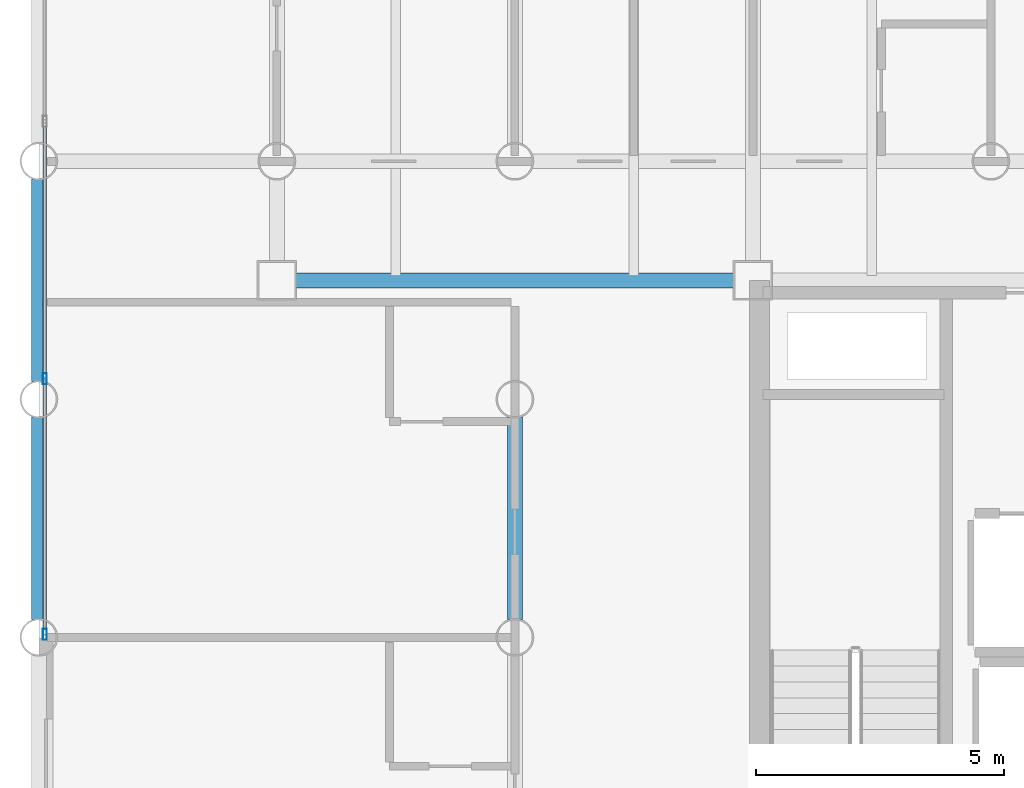
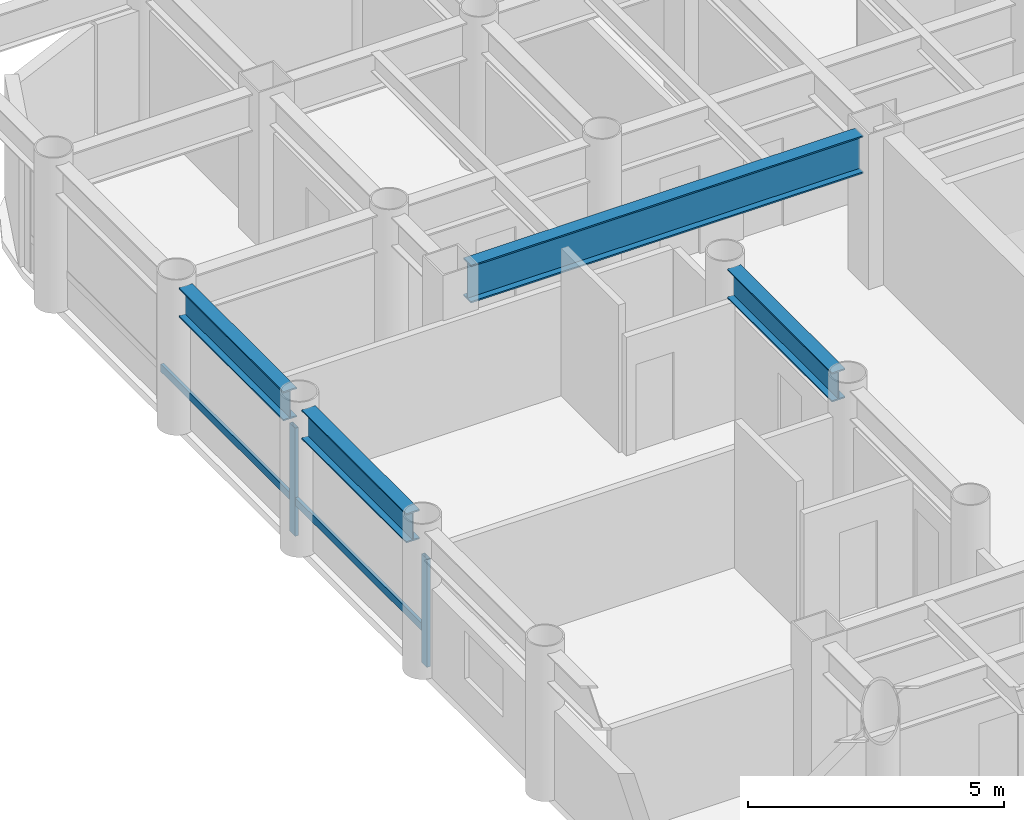
# One storey, part 4 of 20: 4 beams, 4 members, 1 element without a shape of its own.
"""IFC4 building model written with IfcOpenShell, lengths in metres."""

from ifc_helpers import new_model, si_unit, direction, frame, origin, origin_2d, place, context, subcontext, project, spatial, hollow_rectangle, i_section, extrude, material, layer, layer_set, material_profile, profile_set, type_object, element, aggregate, save


model = new_model("IFC4")

# Units and contexts
model_context = context("Model", 3, precision=1e-05, world=origin(), true_north=direction((0.0, 1.0)))
body_context = subcontext(model_context, "Body", "Model", "MODEL_VIEW")
ifc_project = project(units=[si_unit("LENGTHUNIT", "METRE"), si_unit("AREAUNIT", "SQUARE_METRE"), si_unit("VOLUMEUNIT", "CUBIC_METRE"), si_unit("PLANEANGLEUNIT", "RADIAN"), si_unit("MASSUNIT", "GRAM", prefix="KILO")], contexts=[model_context])

# Site, building, storey
site_placement = place(None, origin())
site = spatial("IfcSite", under=ifc_project, at=site_placement, CompositionType="ELEMENT")
building_placement = place(site_placement, origin())
building = spatial("IfcBuilding", under=site, at=building_placement, Name="Kallvorn Hotel Tower", CompositionType="ELEMENT")
storey_placement = place(building_placement, frame((0.0, 0.0, 78.10009765625)))
storey = spatial("IfcBuildingStorey", under=building, at=storey_placement, Name="L18", CompositionType="ELEMENT", Elevation=78.10009765625)

# Beams
ifc_material_1 = material(Name="Structural steel S355JR", Category="steel")
ifc_material_profile_1 = material_profile(ifc_material_1, i_section(OverallWidth=0.300048828125, OverallDepth=0.699951171875, WebThickness=0.01708984375, FlangeThickness=0.031982421875, at=origin_2d()), Name="HE 700 B")
ifc_profile_set_1 = profile_set([ifc_material_profile_1], Name="Structural steel S355JR")
beam_type_1 = type_object("IfcBeamType", Name="BM_HE700B", PredefinedType="BEAM", material=ifc_profile_set_1)
beam_1_placement = place(storey_placement, frame((-28.800048828125, 0.35595703125, 3.169921875), z_axis=(0.0, 1.0, 0.0), x_axis=(-1.0, 0.0, 0.0)))
element("IfcBeam", 1, at=beam_1_placement, inside=storey, type_object=beam_type_1, Name="L19 Primary Y-Girder 77", PredefinedType="BEAM", context=body_context, shape_type="SweptSolid", body=[
    extrude(i_section(OverallWidth=0.300048828125, OverallDepth=0.699951171875, WebThickness=0.01708984375, FlangeThickness=0.031982421875, at=origin_2d()), origin(), (0.0, 0.0, 1.0), 4.088134765625),
])
beam_2_placement = place(storey_placement, frame((-28.800048828125, 5.156005859375, 3.169921875), z_axis=(0.0, 1.0, 0.0), x_axis=(-1.0, 0.0, 0.0)))
element("IfcBeam", 2, at=beam_2_placement, inside=storey, type_object=beam_type_1, Name="L19 Primary Y-Girder 78", PredefinedType="BEAM", context=body_context, shape_type="SweptSolid", body=[
    extrude(i_section(OverallWidth=0.300048828125, OverallDepth=0.699951171875, WebThickness=0.01708984375, FlangeThickness=0.031982421875, at=origin_2d()), origin(), (0.0, 0.0, 1.0), 4.087890625),
])
beam_3_placement = place(storey_placement, frame((-19.199951171875, 0.35595703125, 3.169921875), z_axis=(0.0, 1.0, 0.0), x_axis=(-1.0, 0.0, 0.0)))
element("IfcBeam", 3, at=beam_3_placement, inside=storey, type_object=beam_type_1, Name="L19 Primary Y-Girder 93", PredefinedType="BEAM", context=body_context, shape_type="SweptSolid", body=[
    extrude(i_section(OverallWidth=0.300048828125, OverallDepth=0.699951171875, WebThickness=0.01708984375, FlangeThickness=0.031982421875, at=origin_2d()), origin(), (0.0, 0.0, 1.0), 4.088134765625),
])
ifc_material_2 = material(Name="Structural steel S355JR", Category="steel")
ifc_material_profile_2 = material_profile(ifc_material_2, i_section(OverallWidth=0.300048828125, OverallDepth=0.89990234375, WebThickness=0.0185546875, FlangeThickness=0.034912109375, at=origin_2d()), Name="HE 900 B")
ifc_profile_set_2 = profile_set([ifc_material_profile_2], Name="Structural steel S355JR")
beam_type_2 = type_object("IfcBeamType", Name="BM_HE900B", PredefinedType="BEAM", material=ifc_profile_set_2)
beam_4_placement = place(storey_placement, frame((-23.625, 7.199951171875, 3.06982421875), z_axis=(1.0, 0.0, 0.0), x_axis=(0.0, 1.0, 0.0)))
element("IfcBeam", 4, at=beam_4_placement, inside=storey, type_object=beam_type_2, Name="L19 Primary X-Girder 37", PredefinedType="BEAM", context=body_context, shape_type="SweptSolid", body=[
    extrude(i_section(OverallWidth=0.300048828125, OverallDepth=0.89990234375, WebThickness=0.0185546875, FlangeThickness=0.034912109375, at=origin_2d()), origin(), (0.0, 0.0, 1.0), 8.85009765625),
])

# Curtain wall, members
ifc_material_3 = material(Name="Thermally broken black-anodised aluminium AA 6063-T6", Category="aluminium")
ifc_layer = layer(ifc_material_3, 0.199951171875)
ifc_layer_set = layer_set([ifc_layer], Name="CW_SYS_3_HOTEL_LOW")
curtain_wall_type = type_object("IfcCurtainWallType", Name="CW_SYS_3_HOTEL_LOW", PredefinedType="USERDEFINED", material=ifc_layer_set)
curtain_wall_placement = place(storey_placement, origin())
curtain_wall = element("IfcCurtainWall", 5, at=curtain_wall_placement, inside=storey, type_object=curtain_wall_type, Name="L18 Dark-Glass Curtain Wall CW-L18-WN", ObjectType="UNITISED CURTAIN WALL", PredefinedType="USERDEFINED")
ifc_material_4 = material(Name="Thermally broken black-anodised aluminium AA 6063-T6", Category="aluminium")
ifc_material_profile_3 = material_profile(ifc_material_4, hollow_rectangle(XDim=0.080078125, YDim=0.219970703125, WallThickness=0.0048828125, at=origin_2d()), Name="MUL 220x80")
ifc_profile_set_3 = profile_set([ifc_material_profile_3], Name="Thermally broken black-anodised aluminium AA 6063-T6")
member_type_1 = type_object("IfcMemberType", Name="CW_MULLION_220x80", PredefinedType="MULLION", material=ifc_profile_set_3)
member_1_placement = place(storey_placement, frame((-28.679931640625, 0.06005859375, 0.02001953125), z_axis=(0.0, 0.0, 1.0), x_axis=(1.0, 0.0, 0.0)))
member_1 = element("IfcMember", 6, at=member_1_placement, type_object=member_type_1, Name="CW-L18-WN Mullion 00", PredefinedType="MULLION", context=body_context, shape_type="SweptSolid", body=[
    extrude(hollow_rectangle(XDim=0.080078125, YDim=0.219970703125, WallThickness=0.0048828125, at=origin_2d()), origin(), (0.0, 0.0, 1.0), 2.579833984375),
])
member_2_placement = place(storey_placement, frame((-28.679931640625, 5.21337890625, 0.02001953125), z_axis=(0.0, 0.0, 1.0), x_axis=(1.0, 0.0, 0.0)))
member_2 = element("IfcMember", 7, at=member_2_placement, type_object=member_type_1, Name="CW-L18-WN Mullion 01", PredefinedType="MULLION", context=body_context, shape_type="SweptSolid", body=[
    extrude(hollow_rectangle(XDim=0.080078125, YDim=0.219970703125, WallThickness=0.0048828125, at=origin_2d()), origin(), (0.0, 0.0, 1.0), 2.579833984375),
])
ifc_material_5 = material(Name="Thermally broken black-anodised aluminium AA 6063-T6", Category="aluminium")
ifc_material_profile_4 = material_profile(ifc_material_5, hollow_rectangle(XDim=0.070068359375, YDim=0.179931640625, WallThickness=0.00390625, at=origin_2d()), Name="TRN 180x70")
ifc_profile_set_4 = profile_set([ifc_material_profile_4], Name="Thermally broken black-anodised aluminium AA 6063-T6")
member_type_2 = type_object("IfcMemberType", Name="CW_TRANSOM_180x70", PredefinedType="USERDEFINED", material=ifc_profile_set_4)
member_3_placement = place(storey_placement, frame((-28.679931640625, 0.06005859375, 0.849853515625), z_axis=(0.0, 1.0, 0.0), x_axis=(-1.0, 0.0, 0.0)))
member_3 = element("IfcMember", 8, at=member_3_placement, type_object=member_type_2, Name="CW-L18-WN Transom 00M", ObjectType="TRANSOM", PredefinedType="USERDEFINED", context=body_context, shape_type="SweptSolid", body=[
    extrude(hollow_rectangle(XDim=0.070068359375, YDim=0.179931640625, WallThickness=0.00390625, at=origin_2d()), origin(), (0.0, 0.0, 1.0), 5.11328125),
])
member_4_placement = place(storey_placement, frame((-28.679931640625, 5.25341796875, 0.849853515625), z_axis=(0.0, 1.0, 0.0), x_axis=(-1.0, 0.0, 0.0)))
member_4 = element("IfcMember", 9, at=member_4_placement, type_object=member_type_2, Name="CW-L18-WN Transom 01M", ObjectType="TRANSOM", PredefinedType="USERDEFINED", context=body_context, shape_type="SweptSolid", body=[
    extrude(hollow_rectangle(XDim=0.070068359375, YDim=0.179931640625, WallThickness=0.00390625, at=origin_2d()), origin(), (0.0, 0.0, 1.0), 5.11328125),
])
aggregate(curtain_wall, [member_1, member_2, member_3, member_4])

save(model, "model.ifc")
